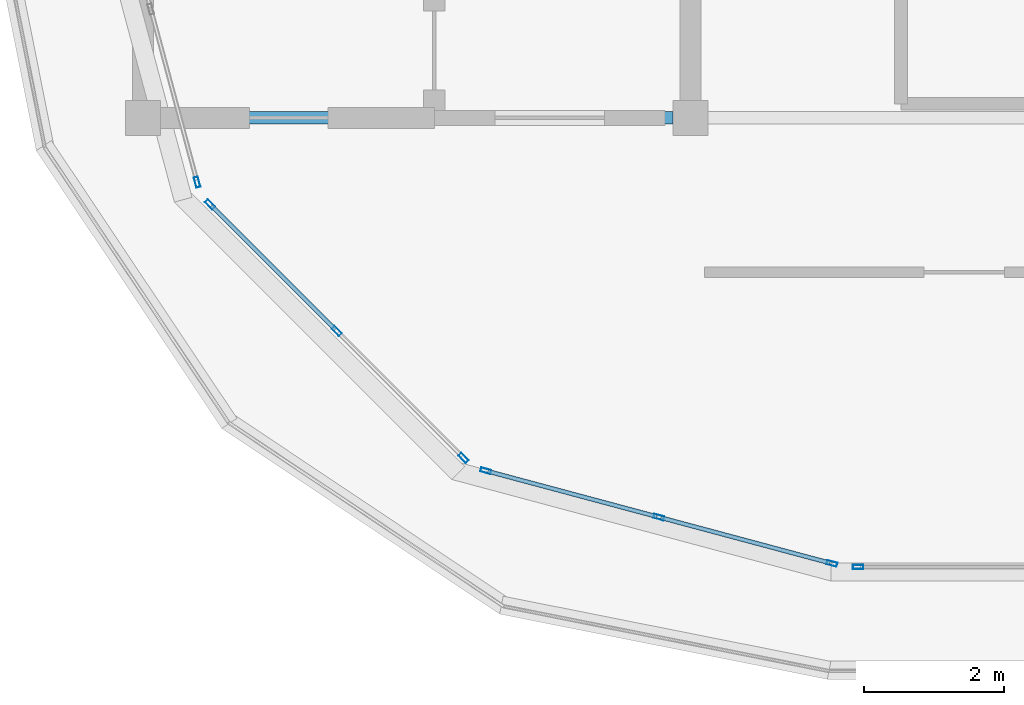
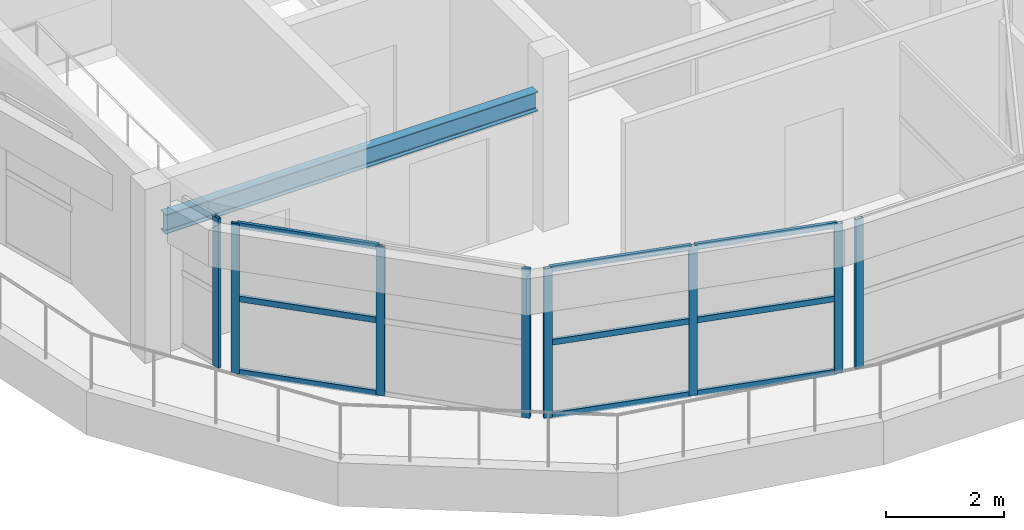
# One storey, part 2 of 15: 17 members, 1 beam, 4 elements without a shape of their own.
"""IFC4 building model written with IfcOpenShell, lengths in metres."""

from ifc_helpers import new_model, si_unit, direction, frame, origin, origin_2d, place, context, subcontext, project, spatial, hollow_rectangle, i_section, extrude, material, layer, layer_set, material_profile, profile_set, type_object, element, aggregate, save


model = new_model("IFC4")

# Units and contexts
model_context = context("Model", 3, precision=1e-05, world=origin(), true_north=direction((0.0, 1.0)))
body_context = subcontext(model_context, "Body", "Model", "MODEL_VIEW")
ifc_project = project(units=[si_unit("LENGTHUNIT", "METRE"), si_unit("AREAUNIT", "SQUARE_METRE"), si_unit("VOLUMEUNIT", "CUBIC_METRE"), si_unit("PLANEANGLEUNIT", "RADIAN"), si_unit("MASSUNIT", "GRAM", prefix="KILO")], contexts=[model_context])

# Site, building, storey
site_placement = place(None, origin())
site = spatial("IfcSite", under=ifc_project, at=site_placement, CompositionType="ELEMENT")
building_placement = place(site_placement, origin())
building = spatial("IfcBuilding", under=site, at=building_placement, Name="Zizhar Promenade General Hospital", CompositionType="ELEMENT")
storey_placement = place(building_placement, frame((0.0, 0.0, 43.199951171875)))
storey = spatial("IfcBuildingStorey", under=building, at=storey_placement, Name="Roof", CompositionType="ELEMENT", Elevation=43.199951171875)

# Beam
ifc_material_1 = material(Name="Steel S355", Category="steel")
ifc_material_profile_1 = material_profile(ifc_material_1, i_section(OverallWidth=0.179931640625, OverallDepth=0.39990234375, WebThickness=0.008544921875, FlangeThickness=0.013427734375, FilletRadius=0.02099609375, at=origin_2d()))
ifc_profile_set_1 = profile_set([ifc_material_profile_1], Name="Steel S355")
beam_type = type_object("IfcBeamType", Name="BM-STL-IPE400", PredefinedType="JOIST", material=ifc_profile_set_1)
beam_placement = place(storey_placement, frame((47.050048828125, 8.39990234375, 2.610107421875), z_axis=(1.0, 0.0, 0.0), x_axis=(0.0, 1.0, 0.0)))
element("IfcBeam", 1, at=beam_placement, inside=storey, type_object=beam_type, Name="Grid Beam X Roof (6-1)", PredefinedType="JOIST", context=body_context, shape_type="SweptSolid", body=[
    extrude(i_section(OverallWidth=0.179931640625, OverallDepth=0.39990234375, WebThickness=0.008544921875, FlangeThickness=0.013427734375, FilletRadius=0.02099609375, at=origin_2d()), origin(), (0.0, 0.0, 1.0), 7.300048828125),
])

# Curtain wall, member
ifc_material_2 = material(Name="Anodised aluminium 6063-T6 and low-E glass", Category="aluminium")
ifc_layer = layer(ifc_material_2, 0.159912109375)
ifc_layer_set = layer_set([ifc_layer], Name="Anodised aluminium 6063-T6 and low-E glass")
curtain_wall_type = type_object("IfcCurtainWallType", Name="CW-WARD-ARC", PredefinedType="NOTDEFINED", material=ifc_layer_set)
curtain_wall_1_placement = place(storey_placement, origin())
curtain_wall_1 = element("IfcCurtainWall", 2, at=curtain_wall_1_placement, inside=storey, type_object=curtain_wall_type, Name="Rooftop Pillow Crown Glazing 08", PredefinedType="NOTDEFINED")
ifc_material_3 = material(Name="Anodised aluminium 6063-T6", Category="aluminium")
ifc_material_profile_2 = material_profile(ifc_material_3, hollow_rectangle(XDim=0.06005859375, YDim=0.14990234375, WallThickness=0.00390625, at=origin_2d()))
ifc_profile_set_2 = profile_set([ifc_material_profile_2], Name="Anodised aluminium 6063-T6")
member_type_1 = type_object("IfcMemberType", Name="CWM-ALU-150x60", PredefinedType="MULLION", material=ifc_profile_set_2)
member_1_placement = place(storey_placement, frame((47.571044921875, 7.4833984375, 0.0), z_axis=(0.0, 0.0, 1.0), x_axis=(-0.965927491601, -0.258812829994, 0.0)))
member_1 = element("IfcMember", 3, at=member_1_placement, type_object=member_type_1, Name="CW-12 mullion 1", PredefinedType="MULLION", context=body_context, shape_type="SweptSolid", body=[
    extrude(hollow_rectangle(XDim=0.06005859375, YDim=0.14990234375, WallThickness=0.00390625, at=origin_2d()), origin(), (0.0, 0.0, 1.0), 3.10009765625),
])
aggregate(curtain_wall_1, [member_1])

# Curtain wall, members
curtain_wall_2_placement = place(storey_placement, origin())
curtain_wall_2 = element("IfcCurtainWall", 4, at=curtain_wall_2_placement, inside=storey, type_object=curtain_wall_type, Name="Rooftop Pillow Crown Glazing 09", PredefinedType="NOTDEFINED")
member_2_placement = place(storey_placement, frame((51.36572265625, 3.554443359375, 0.0), z_axis=(0.0, 0.0, 1.0), x_axis=(-0.707106781187, -0.707106781187, 0.0)))
member_2 = element("IfcMember", 5, at=member_2_placement, type_object=member_type_1, Name="CW-12 mullion 1", PredefinedType="MULLION", context=body_context, shape_type="SweptSolid", body=[
    extrude(hollow_rectangle(XDim=0.06005859375, YDim=0.14990234375, WallThickness=0.00390625, at=origin_2d()), origin(), (0.0, 0.0, 1.0), 3.10009765625),
])
member_3_placement = place(storey_placement, frame((49.56005859375, 5.360107421875, 0.0), z_axis=(0.0, 0.0, 1.0), x_axis=(-0.707106781187, -0.707106781187, 0.0)))
member_3 = element("IfcMember", 6, at=member_3_placement, type_object=member_type_1, Name="CW-12 mullion 2", PredefinedType="MULLION", context=body_context, shape_type="SweptSolid", body=[
    extrude(hollow_rectangle(XDim=0.06005859375, YDim=0.14990234375, WallThickness=0.00390625, at=origin_2d()), origin(), (0.0, 0.0, 1.0), 3.10009765625),
])
member_4_placement = place(storey_placement, frame((47.75439453125, 7.165771484375, 0.0), z_axis=(0.0, 0.0, 1.0), x_axis=(-0.707106781187, -0.707106781187, 0.0)))
member_4 = element("IfcMember", 7, at=member_4_placement, type_object=member_type_1, Name="CW-12 mullion 3", PredefinedType="MULLION", context=body_context, shape_type="SweptSolid", body=[
    extrude(hollow_rectangle(XDim=0.06005859375, YDim=0.14990234375, WallThickness=0.00390625, at=origin_2d()), origin(), (0.0, 0.0, 1.0), 3.10009765625),
])

curtain_wall_3_placement = place(storey_placement, origin())
curtain_wall_3 = element("IfcCurtainWall", 8, at=curtain_wall_3_placement, inside=storey, type_object=curtain_wall_type, Name="Rooftop Pillow Crown Glazing 10", PredefinedType="NOTDEFINED")
member_5_placement = place(storey_placement, frame((56.616455078125, 2.049072265625, 0.0), z_axis=(0.0, 0.0, 1.0), x_axis=(-0.258812829994, -0.965927491601, 0.0)))
member_5 = element("IfcMember", 9, at=member_5_placement, type_object=member_type_1, Name="CW-12 mullion 1", PredefinedType="MULLION", context=body_context, shape_type="SweptSolid", body=[
    extrude(hollow_rectangle(XDim=0.06005859375, YDim=0.14990234375, WallThickness=0.00390625, at=origin_2d()), origin(), (0.0, 0.0, 1.0), 3.10009765625),
])
member_6_placement = place(storey_placement, frame((54.14990234375, 2.7099609375, 0.0), z_axis=(0.0, 0.0, 1.0), x_axis=(-0.258812829994, -0.965927491601, 0.0)))
member_6 = element("IfcMember", 10, at=member_6_placement, type_object=member_type_1, Name="CW-12 mullion 2", PredefinedType="MULLION", context=body_context, shape_type="SweptSolid", body=[
    extrude(hollow_rectangle(XDim=0.06005859375, YDim=0.14990234375, WallThickness=0.00390625, at=origin_2d()), origin(), (0.0, 0.0, 1.0), 3.10009765625),
])
member_7_placement = place(storey_placement, frame((51.68359375, 3.370849609375, 0.0), z_axis=(0.0, 0.0, 1.0), x_axis=(-0.258812829994, -0.965927491601, 0.0)))
member_7 = element("IfcMember", 11, at=member_7_placement, type_object=member_type_1, Name="CW-12 mullion 3", PredefinedType="MULLION", context=body_context, shape_type="SweptSolid", body=[
    extrude(hollow_rectangle(XDim=0.06005859375, YDim=0.14990234375, WallThickness=0.00390625, at=origin_2d()), origin(), (0.0, 0.0, 1.0), 3.10009765625),
])

# Curtain wall, member
curtain_wall_4_placement = place(storey_placement, origin())
curtain_wall_4 = element("IfcCurtainWall", 12, at=curtain_wall_4_placement, inside=storey, type_object=curtain_wall_type, Name="Rooftop Pillow Crown Glazing 11", PredefinedType="NOTDEFINED")
member_8_placement = place(storey_placement, frame((56.989990234375, 2.0, 0.0), z_axis=(0.0, 0.0, 1.0), x_axis=(0.0, -1.0, 0.0)))
member_8 = element("IfcMember", 13, at=member_8_placement, type_object=member_type_1, Name="CW-12 mullion 3", PredefinedType="MULLION", context=body_context, shape_type="SweptSolid", body=[
    extrude(hollow_rectangle(XDim=0.06005859375, YDim=0.14990234375, WallThickness=0.00390625, at=origin_2d()), origin(), (0.0, 0.0, 1.0), 3.10009765625),
])
aggregate(curtain_wall_4, [member_8])

# Member
ifc_material_4 = material(Name="Anodised aluminium 6063-T6", Category="aluminium")
ifc_material_profile_3 = material_profile(ifc_material_4, hollow_rectangle(XDim=0.06005859375, YDim=0.1201171875, WallThickness=0.00390625, at=origin_2d()))
ifc_profile_set_3 = profile_set([ifc_material_profile_3], Name="Anodised aluminium 6063-T6")
member_type_2 = type_object("IfcMemberType", Name="CWT-ALU-120x60", PredefinedType="USERDEFINED", material=ifc_profile_set_3)
member_9_placement = place(storey_placement, frame((49.538818359375, 5.38134765625, 0.030029296875), z_axis=(-0.707106781187, 0.707106781187, 0.0), x_axis=(-0.707106781187, -0.707106781187, 0.0)))
member_9 = element("IfcMember", 14, at=member_9_placement, type_object=member_type_2, Name="CW-12 transom 2.1", ObjectType="TRANSOM", PredefinedType="USERDEFINED", context=body_context, shape_type="SweptSolid", body=[
    extrude(hollow_rectangle(XDim=0.06005859375, YDim=0.1201171875, WallThickness=0.00390625, at=origin_2d()), origin(), (0.0, 0.0, 1.0), 2.493408203125),
])

member_10_placement = place(storey_placement, frame((49.538818359375, 5.38134765625, 1.550048828125), z_axis=(-0.707106781187, 0.707106781187, 0.0), x_axis=(-0.707106781187, -0.707106781187, 0.0)))
member_10 = element("IfcMember", 15, at=member_10_placement, type_object=member_type_2, Name="CW-12 transom 2.2", ObjectType="TRANSOM", PredefinedType="USERDEFINED", context=body_context, shape_type="SweptSolid", body=[
    extrude(hollow_rectangle(XDim=0.06005859375, YDim=0.1201171875, WallThickness=0.00390625, at=origin_2d()), origin(), (0.0, 0.0, 1.0), 2.493408203125),
])

member_11_placement = place(storey_placement, frame((49.538818359375, 5.38134765625, 3.070068359375), z_axis=(-0.707106781187, 0.707106781187, 0.0), x_axis=(-0.707106781187, -0.707106781187, 0.0)))
member_11 = element("IfcMember", 16, at=member_11_placement, type_object=member_type_2, Name="CW-12 transom 2.3", ObjectType="TRANSOM", PredefinedType="USERDEFINED", context=body_context, shape_type="SweptSolid", body=[
    extrude(hollow_rectangle(XDim=0.06005859375, YDim=0.1201171875, WallThickness=0.00390625, at=origin_2d()), origin(), (0.0, 0.0, 1.0), 2.493408203125),
])

aggregate(curtain_wall_2, [member_2, member_3, member_4, member_9, member_10, member_11])

member_12_placement = place(storey_placement, frame((56.587646484375, 2.056884765625, 0.030029296875), z_axis=(-0.965915710471, 0.2588567949, 0.0), x_axis=(-0.2588567949, -0.965915710471, 0.0)))
member_12 = element("IfcMember", 17, at=member_12_placement, type_object=member_type_2, Name="CW-12 transom 1.1", ObjectType="TRANSOM", PredefinedType="USERDEFINED", context=body_context, shape_type="SweptSolid", body=[
    extrude(hollow_rectangle(XDim=0.06005859375, YDim=0.1201171875, WallThickness=0.00390625, at=origin_2d()), origin(), (0.0, 0.0, 1.0), 2.49365234375),
])

member_13_placement = place(storey_placement, frame((56.587646484375, 2.056884765625, 1.550048828125), z_axis=(-0.965915710471, 0.2588567949, 0.0), x_axis=(-0.2588567949, -0.965915710471, 0.0)))
member_13 = element("IfcMember", 18, at=member_13_placement, type_object=member_type_2, Name="CW-12 transom 1.2", ObjectType="TRANSOM", PredefinedType="USERDEFINED", context=body_context, shape_type="SweptSolid", body=[
    extrude(hollow_rectangle(XDim=0.06005859375, YDim=0.1201171875, WallThickness=0.00390625, at=origin_2d()), origin(), (0.0, 0.0, 1.0), 2.49365234375),
])

member_14_placement = place(storey_placement, frame((56.587646484375, 2.056884765625, 3.070068359375), z_axis=(-0.965915710471, 0.2588567949, 0.0), x_axis=(-0.2588567949, -0.965915710471, 0.0)))
member_14 = element("IfcMember", 19, at=member_14_placement, type_object=member_type_2, Name="CW-12 transom 1.3", ObjectType="TRANSOM", PredefinedType="USERDEFINED", context=body_context, shape_type="SweptSolid", body=[
    extrude(hollow_rectangle(XDim=0.06005859375, YDim=0.1201171875, WallThickness=0.00390625, at=origin_2d()), origin(), (0.0, 0.0, 1.0), 2.49365234375),
])

member_15_placement = place(storey_placement, frame((54.12109375, 2.7177734375, 0.030029296875), z_axis=(-0.965915710471, 0.2588567949, 0.0), x_axis=(-0.2588567949, -0.965915710471, 0.0)))
member_15 = element("IfcMember", 20, at=member_15_placement, type_object=member_type_2, Name="CW-12 transom 2.1", ObjectType="TRANSOM", PredefinedType="USERDEFINED", context=body_context, shape_type="SweptSolid", body=[
    extrude(hollow_rectangle(XDim=0.06005859375, YDim=0.1201171875, WallThickness=0.00390625, at=origin_2d()), origin(), (0.0, 0.0, 1.0), 2.49365234375),
])

member_16_placement = place(storey_placement, frame((54.12109375, 2.7177734375, 1.550048828125), z_axis=(-0.965915710471, 0.2588567949, 0.0), x_axis=(-0.2588567949, -0.965915710471, 0.0)))
member_16 = element("IfcMember", 21, at=member_16_placement, type_object=member_type_2, Name="CW-12 transom 2.2", ObjectType="TRANSOM", PredefinedType="USERDEFINED", context=body_context, shape_type="SweptSolid", body=[
    extrude(hollow_rectangle(XDim=0.06005859375, YDim=0.1201171875, WallThickness=0.00390625, at=origin_2d()), origin(), (0.0, 0.0, 1.0), 2.49365234375),
])

member_17_placement = place(storey_placement, frame((54.12109375, 2.7177734375, 3.070068359375), z_axis=(-0.965915710471, 0.2588567949, 0.0), x_axis=(-0.2588567949, -0.965915710471, 0.0)))
member_17 = element("IfcMember", 22, at=member_17_placement, type_object=member_type_2, Name="CW-12 transom 2.3", ObjectType="TRANSOM", PredefinedType="USERDEFINED", context=body_context, shape_type="SweptSolid", body=[
    extrude(hollow_rectangle(XDim=0.06005859375, YDim=0.1201171875, WallThickness=0.00390625, at=origin_2d()), origin(), (0.0, 0.0, 1.0), 2.49365234375),
])

aggregate(curtain_wall_3, [member_5, member_6, member_7, member_12, member_13, member_14, member_15, member_16, member_17])

save(model, "model.ifc")
